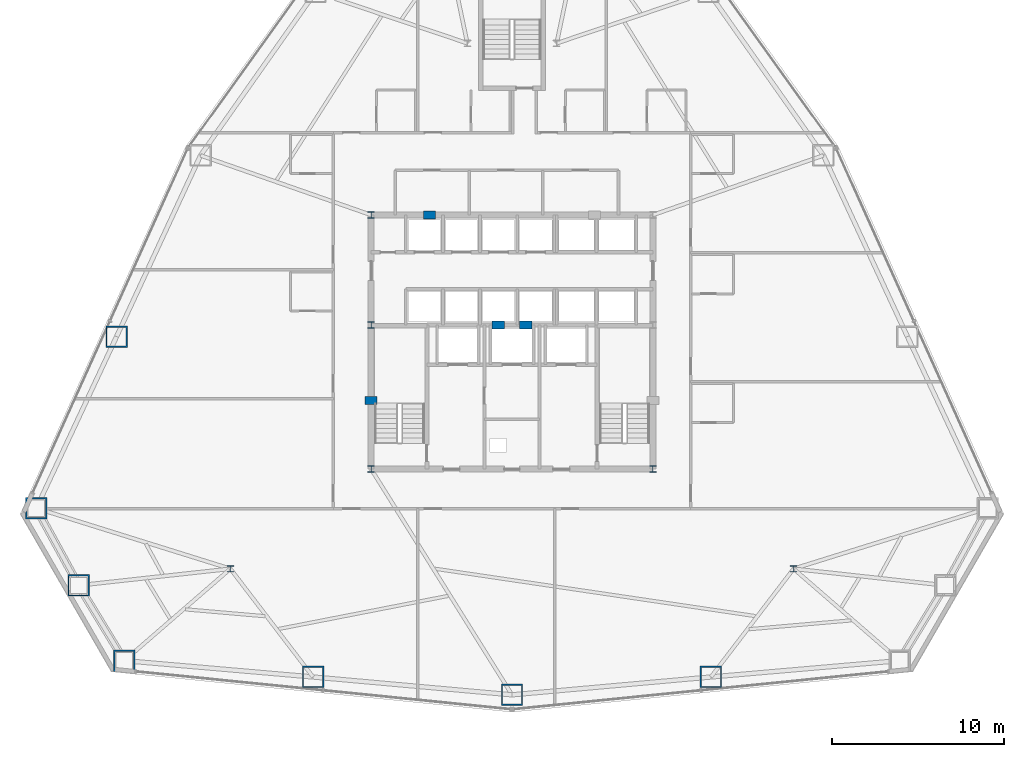
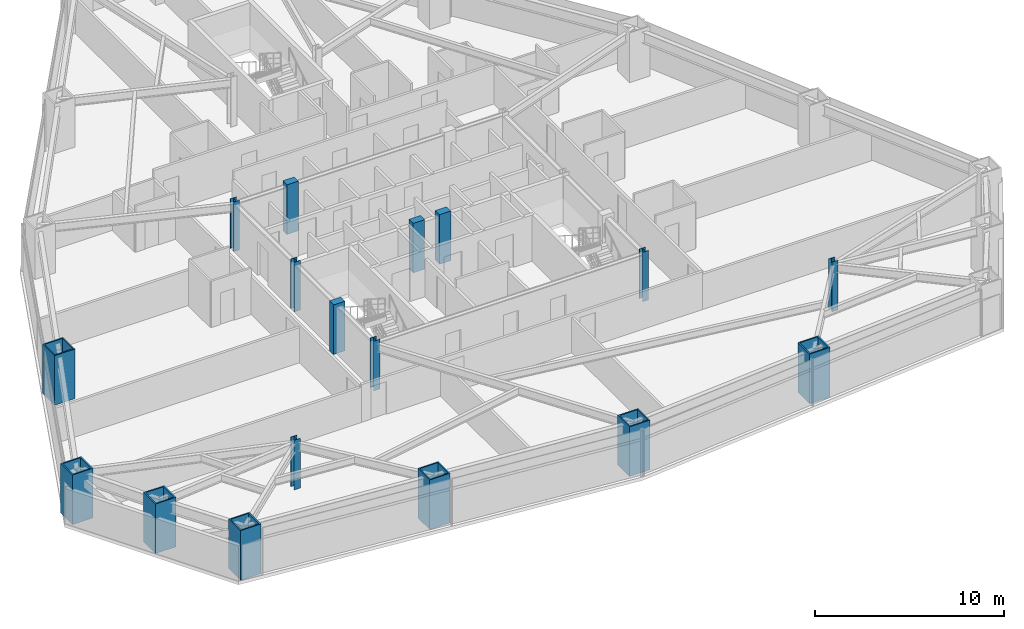
# One storey, part 1 of 12: 17 columns.
"""IFC4 building model written with IfcOpenShell, lengths in metres."""

from ifc_helpers import new_model, si_unit, direction, frame, origin, origin_2d, place, context, subcontext, project, spatial, rectangle, hollow_rectangle, i_section, extrude, material, material_profile, profile_set, type_object, element, save


model = new_model("IFC4")

# Units and contexts
model_context = context("Model", 3, precision=1e-05, world=origin(), true_north=direction((0.0, 1.0)))
body_context = subcontext(model_context, "Body", "Model", "MODEL_VIEW")
ifc_project = project(units=[si_unit("LENGTHUNIT", "METRE"), si_unit("AREAUNIT", "SQUARE_METRE"), si_unit("VOLUMEUNIT", "CUBIC_METRE"), si_unit("PLANEANGLEUNIT", "RADIAN"), si_unit("MASSUNIT", "GRAM", prefix="KILO")], contexts=[model_context])

# Site, building, storey
site_placement = place(None, origin())
site = spatial("IfcSite", under=ifc_project, at=site_placement, CompositionType="ELEMENT")
building_placement = place(site_placement, origin())
building = spatial("IfcBuilding", under=site, at=building_placement, Name="Varakhsha Concourse Tower", CompositionType="ELEMENT")
storey_placement = place(building_placement, frame((0.0, 0.0, 30.39990234375)))
storey = spatial("IfcBuildingStorey", under=building, at=storey_placement, Name="L07", CompositionType="ELEMENT", Elevation=30.39990234375)

# Columns
ifc_material_1 = material(Name="Structural Steel ASTM A992 Grade 50", Category="steel")
ifc_material_profile_1 = material_profile(ifc_material_1, i_section(OverallWidth=0.3740234375, OverallDepth=0.3720703125, WebThickness=0.01611328125, FlangeThickness=0.02587890625, at=origin_2d()), Name="W14X132")
ifc_profile_set_1 = profile_set([ifc_material_profile_1], Name="Structural Steel ASTM A992 Grade 50")
column_type_1 = type_object("IfcColumnType", Name="CL-CORE-W14X132", PredefinedType="COLUMN", material=ifc_profile_set_1)
for number, where, z_axis, x_axis, name in (
    (1, (31.800048828125, 16.39990234375, 0.0), (0.0, 0.0, 1.0), (1.0, 0.0, 0.0), "L07 Core Column CC-SW"),
    (2, (48.199951171875, 16.39990234375, 0.0), (0.0, 0.0, 1.0), (1.0, 0.0, 0.0), "L07 Core Column CC-SE"),
    (3, (31.800048828125, 24.800048828125, 0.0), (0.0, 0.0, 1.0), (1.0, 0.0, 0.0), "L07 Core Column CC-MW"),
    (4, (31.800048828125, 31.199951171875, 0.0), (0.0, 0.0, 1.0), (1.0, 0.0, 0.0), "L07 Core Column CC-NW"),
    (5, (23.60009765625, 10.60009765625, 0.0), (0.0, 0.0, 1.0), (1.0, 0.0, 0.0), "L07 Core Column SS-W"),
    (6, (56.39990234375, 10.60009765625, 0.0), (0.0, 0.0, 1.0), (1.0, 0.0, 0.0), "L07 Core Column SS-E"),
):
    element("IfcColumn", number, at=place(storey_placement, frame(where, z_axis=z_axis, x_axis=x_axis)), inside=storey, type_object=column_type_1, Name=name, PredefinedType="COLUMN", context=body_context, shape_type="SweptSolid", body=[
        extrude(i_section(OverallWidth=0.3740234375, OverallDepth=0.3720703125, WebThickness=0.01611328125, FlangeThickness=0.02587890625, at=origin_2d()), origin(), (0.0, 0.0, 1.0), 3.2001953125),
    ])
ifc_material_2 = material(Name="Concrete fc 65 MPa", Category="concrete")
ifc_material_profile_2 = material_profile(ifc_material_2, rectangle(XDim=0.699951171875, YDim=0.449951171875, at=origin_2d()), Name="RC 700x450")
ifc_profile_set_2 = profile_set([ifc_material_profile_2], Name="Concrete fc 65 MPa")
column_type_2 = type_object("IfcColumnType", Name="CL-PIL-700X450", PredefinedType="PILASTER", material=ifc_profile_set_2)
for number, where, z_axis, x_axis, name in (
    (7, (31.800048828125, 20.39990234375, 0.0), (0.0, 0.0, 1.0), (1.0, 0.0, 0.0), "L07 Core Boundary Pilaster PIL-W1"),
    (8, (35.199951171875, 31.199951171875, 0.0), (0.0, 0.0, 1.0), (1.0, 0.0, 0.0), "L07 Core Boundary Pilaster PIL-N1"),
    (9, (39.199951171875, 24.800048828125, 0.0), (0.0, 0.0, 1.0), (1.0, 0.0, 0.0), "L07 Core Boundary Pilaster PIL-M1"),
    (10, (40.800048828125, 24.800048828125, 0.0), (0.0, 0.0, 1.0), (1.0, 0.0, 0.0), "L07 Core Boundary Pilaster PIL-M2"),
):
    element("IfcColumn", number, at=place(storey_placement, frame(where, z_axis=z_axis, x_axis=x_axis)), inside=storey, type_object=column_type_2, Name=name, PredefinedType="PILASTER", context=body_context, shape_type="SweptSolid", body=[
        extrude(rectangle(XDim=0.699951171875, YDim=0.449951171875, at=origin_2d()), origin(), (0.0, 0.0, 1.0), 3.2001953125),
    ])
ifc_material_3 = material(Name="Structural Steel ASTM A572 Grade 50", Category="steel")
ifc_material_profile_3 = material_profile(ifc_material_3, hollow_rectangle(XDim=1.25, YDim=1.25, WallThickness=0.080078125, at=origin_2d()), Name="BOX 1250x1250x80")
ifc_profile_set_3 = profile_set([ifc_material_profile_3], Name="Structural Steel ASTM A572 Grade 50")
column_type_3 = type_object("IfcColumnType", Name="CL-TUBE-1250", PredefinedType="COLUMN", material=ifc_profile_set_3)
for number, where, z_axis, x_axis, name in (
    (11, (16.972900390625, 24.116455078125, 0.0), (0.0, 0.0, 1.0), (1.0, 0.0, 0.0), "L07 Framed-Tube Column TC06"),
    (12, (12.302734375, 14.125732421875, 0.0), (0.0, 0.0, 1.0), (1.0, 0.0, 0.0), "L07 Framed-Tube Column TC07"),
    (13, (14.763916015625, 9.6298828125, 0.0), (0.0, 0.0, 1.0), (1.0, 0.0, 0.0), "L07 Framed-Tube Column TC08"),
    (14, (17.427001953125, 5.250732421875, 0.0), (0.0, 0.0, 1.0), (1.0, 0.0, 0.0), "L07 Framed-Tube Column TC09"),
    (15, (28.4140625, 4.299560546875, 0.0), (0.0, 0.0, 1.0), (1.0, 0.0, 0.0), "L07 Framed-Tube Column TC10"),
    (16, (40.0, 3.260009765625, 0.0), (0.0, 0.0, 1.0), (1.0, 0.0, 0.0), "L07 Framed-Tube Column TC11"),
    (17, (51.5859375, 4.299560546875, 0.0), (0.0, 0.0, 1.0), (1.0, 0.0, 0.0), "L07 Framed-Tube Column TC12"),
):
    element("IfcColumn", number, at=place(storey_placement, frame(where, z_axis=z_axis, x_axis=x_axis)), inside=storey, type_object=column_type_3, Name=name, PredefinedType="COLUMN", context=body_context, shape_type="SweptSolid", body=[
        extrude(hollow_rectangle(XDim=1.25, YDim=1.25, WallThickness=0.080078125, at=origin_2d()), origin(), (0.0, 0.0, 1.0), 3.2001953125),
    ])

save(model, "model.ifc")
